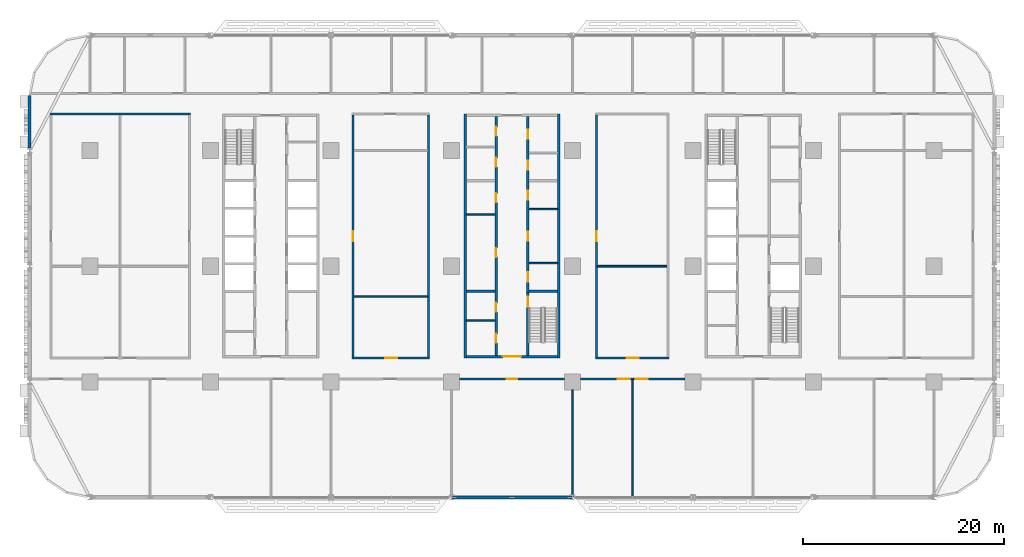
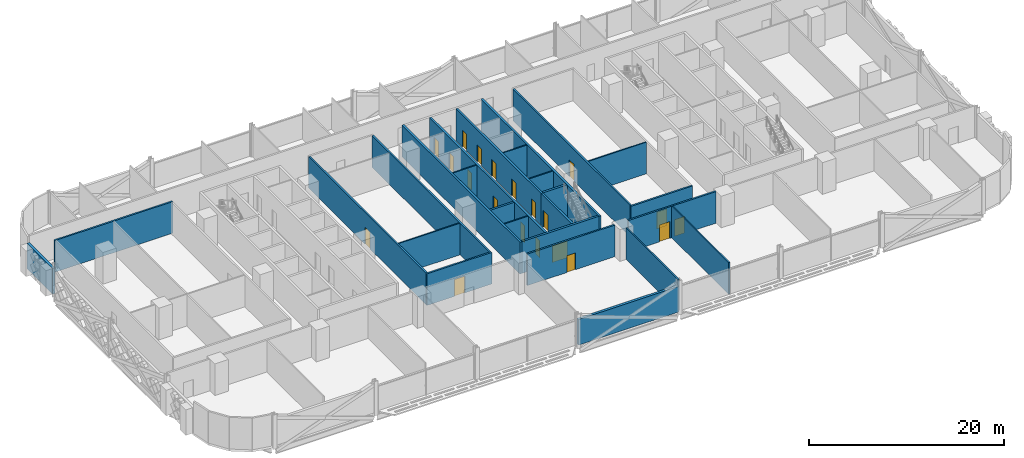
# One storey, part 11 of 28: 26 walls, 20 doors, 20 openings.
"""IFC4 building model written with IfcOpenShell, lengths in metres."""

import ifcopenshell
import ifcopenshell.guid

model = None  # the IFC model being written
_history = None  # IfcOwnerHistory: only IFC2X3 demands one
_inside = {}  # id of a spatial element -> (the spatial element, [elements in it])
_under = {}  # id of a project, library or spatial element -> (it, [spatial elements below it])
_declared = {}  # id of a project -> (the project, [libraries it declares])
_typed = {}  # id of a type object -> (the type object, [elements of that type])
_made_of = {}  # id of a material, layer set ... -> (it, [elements and type objects made of it])


def new_model(schema):
    """Start an empty IFC model of exactly this schema.

    Asked for "IFC4X3", IfcOpenShell would pick the latest addendum, in which some entities
    have other attributes; the version numbers below select the first issue.
    IFC2X3 requires an IfcOwnerHistory on every rooted entity: one is made here for all.
    """
    global model, _history
    if schema == "IFC4X3":
        model = ifcopenshell.file(schema_version=(4, 3, 0, 0))
    else:
        model = ifcopenshell.file(schema=schema)
    _inside.clear()
    _under.clear()
    _declared.clear()
    _typed.clear()
    _made_of.clear()
    _history = None
    if model.schema == "IFC2X3":
        org = make("IfcOrganization", Name="unknown")
        user = make(
            "IfcPersonAndOrganization",
            ThePerson=make("IfcPerson", FamilyName="unknown"),
            TheOrganization=org,
        )
        app = make(
            "IfcApplication",
            ApplicationDeveloper=org,
            Version="unknown",
            ApplicationFullName="unknown",
            ApplicationIdentifier="unknown",
        )
        _history = make(
            "IfcOwnerHistory",
            OwningUser=user,
            OwningApplication=app,
            ChangeAction="ADDED",
            CreationDate=0,
        )
    return model


def make(cls, **values):
    """One entity of the class cls with the attributes given. An attribute that is None is left unset."""
    return model.create_entity(
        cls, **{name: value for name, value in values.items() if value is not None}
    )


def rooted(cls, **values):
    """An entity with a GlobalId (a new one), such as an element, a storey or a relation."""
    return make(cls, GlobalId=ifcopenshell.guid.new(), OwnerHistory=_history, **values)


def si_unit(unit_type, name, prefix=None):
    """IfcSIUnit, for example si_unit("LENGTHUNIT", "METRE", prefix="MILLI")."""
    return make("IfcSIUnit", UnitType=unit_type, Prefix=prefix, Name=name)


def assignment(units):
    """IfcUnitAssignment: the units of a project."""
    return None if units is None else make("IfcUnitAssignment", Units=units)


def point(xyz):
    """IfcCartesianPoint."""
    return None if xyz is None else make("IfcCartesianPoint", Coordinates=xyz)


def direction(xyz):
    """IfcDirection."""
    return None if xyz is None else make("IfcDirection", DirectionRatios=xyz)


def frame(location, z_axis=None, x_axis=None):
    """IfcAxis2Placement3D, a coordinate frame: its origin and axes. An axis left out is left unset."""
    return make(
        "IfcAxis2Placement3D",
        Location=point(location),
        Axis=direction(z_axis),
        RefDirection=direction(x_axis),
    )


def frame_2d(location, x_axis=None):
    """IfcAxis2Placement2D, a coordinate frame in the plane: its origin and x axis."""
    return make(
        "IfcAxis2Placement2D", Location=point(location), RefDirection=direction(x_axis)
    )


def origin():
    """The frame at (0, 0, 0) with its axes left unset."""
    return frame((0.0, 0.0, 0.0))


def place(relative_to, where):
    """IfcLocalPlacement: puts the frame where relative to a parent placement (None: the world)."""
    return make(
        "IfcLocalPlacement", PlacementRelTo=relative_to, RelativePlacement=where
    )


def context(
    kind, dimensions, precision=None, world=None, true_north=None, identifier=None
):
    """IfcGeometricRepresentationContext, for example the 3D "Model" context."""
    return make(
        "IfcGeometricRepresentationContext",
        ContextIdentifier=identifier,
        ContextType=kind,
        CoordinateSpaceDimension=dimensions,
        Precision=precision,
        WorldCoordinateSystem=world,
        TrueNorth=true_north,
    )


def subcontext(parent, identifier, kind, view, scale=None):
    """IfcGeometricRepresentationSubContext, for example "Body" below "Model"."""
    return make(
        "IfcGeometricRepresentationSubContext",
        ContextIdentifier=identifier,
        ContextType=kind,
        ParentContext=parent,
        TargetScale=scale,
        TargetView=view,
    )


def project(units=None, contexts=None):
    """IfcProject with its units and contexts."""
    return rooted(
        "IfcProject",
        Name="project",
        RepresentationContexts=contexts,
        UnitsInContext=assignment(units),
    )


def spatial(cls, under=None, at=None, **own):
    """A site, building, storey or space (cls), placed at a placement, below another one or the project."""
    s = rooted(cls, ObjectPlacement=at, **own)
    if under is not None:
        _under.setdefault(under.id(), (under, []))[1].append(s)
    return s


def profile(cls, at=None, kind="AREA", **sizes):
    """A parametric profile (cls). Its sizes go by their IFC names, for example OverallWidth=200.0."""
    return make(cls, ProfileType=kind, Position=at, **sizes)


def rectangle(**sizes):
    """IfcRectangleProfileDef."""
    return profile("IfcRectangleProfileDef", **sizes)


def extrude(swept, where, along, depth):
    """IfcExtrudedAreaSolid: the profile swept, set in the frame where, extruded along a direction by depth."""
    return make(
        "IfcExtrudedAreaSolid",
        SweptArea=swept,
        Position=where,
        ExtrudedDirection=direction(along),
        Depth=depth,
    )


def shape(context_of_items, identifier, shape_type, items):
    """IfcShapeRepresentation: the items that make up one representation, for example the "Body"."""
    return make(
        "IfcShapeRepresentation",
        ContextOfItems=context_of_items,
        RepresentationIdentifier=identifier,
        RepresentationType=shape_type,
        Items=items,
    )


def material(Name=None, Category=None):
    """IfcMaterial."""
    return make("IfcMaterial", Name=Name, Category=Category)


def layer(
    of_material, thickness, ventilated=None, Name=None, Category=None, Priority=None
):
    """IfcMaterialLayer: one layer of a wall or slab, of a material (None: an air gap)."""
    return make(
        "IfcMaterialLayer",
        Material=of_material,
        LayerThickness=thickness,
        IsVentilated=ventilated,
        Name=Name,
        Category=Category,
        Priority=Priority,
    )


def layer_set(layers, Name=None):
    """IfcMaterialLayerSet."""
    return make("IfcMaterialLayerSet", MaterialLayers=layers, LayerSetName=Name)


def made_of(thing, what):
    """Note that an element or type object is made of a material, layer set ...; save() writes the relation."""
    if what is not None:
        _made_of.setdefault(what.id(), (what, []))[1].append(thing)
    return thing


def type_object(cls, material=None, **own):
    """A type object (cls), such as IfcWallType, which elements share."""
    return made_of(rooted(cls, **own), material)


def element(
    cls,
    number,
    at=None,
    inside=None,
    cuts=None,
    type_object=None,
    material=None,
    context=None,
    identifier="Body",
    shape_type=None,
    held_by="IfcProductDefinitionShape",
    body=None,
    shapes=None,
    **own,
):
    """One element of the class cls, such as IfcWall. Its Tag is "e" and its number.

    at: its placement. inside: the storey or other place that contains it. cuts: it is an
    opening in that element (IfcRelVoidsElement). A single representation is given by context,
    identifier, shape_type and body (its items); several are given by shapes. held_by: the class
    of the entity that holds the representations. save() writes the other relations.
    """
    e = rooted(cls, Tag="e%d" % number, ObjectPlacement=at, **own)
    if body is not None:
        shapes = [shape(context, identifier, shape_type, body)]
    if shapes is not None:
        e.Representation = make(held_by, Representations=shapes)
    if inside is not None:
        _inside.setdefault(inside.id(), (inside, []))[1].append(e)
    if cuts is not None:
        rooted(
            "IfcRelVoidsElement", RelatingBuildingElement=cuts, RelatedOpeningElement=e
        )
    if type_object is not None:
        _typed.setdefault(type_object.id(), (type_object, []))[1].append(e)
    return made_of(e, material)


def fill(opening, filler):
    """IfcRelFillsElement: the door or window that sits in an opening."""
    return rooted(
        "IfcRelFillsElement",
        RelatingOpeningElement=opening,
        RelatedBuildingElement=filler,
    )


def aggregate(whole, parts):
    """IfcRelAggregates: a whole, such as a stair, and the parts it consists of."""
    return rooted("IfcRelAggregates", RelatingObject=whole, RelatedObjects=parts)


def save(model, path):
    """Write the relations noted so far, then the file.

    IfcRelAggregates (storeys below a building ...), IfcRelContainedInSpatialStructure (elements
    in a storey), IfcRelDefinesByType, IfcRelAssociatesMaterial and IfcRelDeclares: one each for
    every whole, place, type object, material and project.
    """
    for whole, parts in _under.values():
        aggregate(whole, parts)
    for where, things in _inside.values():
        rooted(
            "IfcRelContainedInSpatialStructure",
            RelatedElements=things,
            RelatingStructure=where,
        )
    for kind, things in _typed.values():
        rooted("IfcRelDefinesByType", RelatedObjects=things, RelatingType=kind)
    for what, things in _made_of.values():
        rooted("IfcRelAssociatesMaterial", RelatedObjects=things, RelatingMaterial=what)
    for by, libraries in _declared.values():
        rooted("IfcRelDeclares", RelatingContext=by, RelatedDefinitions=libraries)
    model.write(path)


model = new_model("IFC4")

# Units and contexts
model_context = context("Model", 3, precision=1e-05, world=origin(), true_north=direction((0.0, 1.0)))
body_context = subcontext(model_context, "Body", "Model", "MODEL_VIEW")
ifc_project = project(units=[si_unit("LENGTHUNIT", "METRE"), si_unit("AREAUNIT", "SQUARE_METRE"), si_unit("VOLUMEUNIT", "CUBIC_METRE"), si_unit("PLANEANGLEUNIT", "RADIAN"), si_unit("MASSUNIT", "GRAM", prefix="KILO")], contexts=[model_context])

# Site, building, storey
site_placement = place(None, origin())
site = spatial("IfcSite", under=ifc_project, at=site_placement, CompositionType="ELEMENT")
building_placement = place(site_placement, origin())
building = spatial("IfcBuilding", under=site, at=building_placement, Name="Mahtab Terrace Research Tower", CompositionType="ELEMENT")
storey_placement = place(building_placement, frame((0.0, 0.0, 33.0)))
storey = spatial("IfcBuildingStorey", under=building, at=storey_placement, Name="L07", CompositionType="ELEMENT", Elevation=33.0)

# Walls
ifc_material_1 = material(Name="Gypsum board partition")
ifc_layer_1 = layer(ifc_material_1, 0.14990234375)
ifc_layer_set_1 = layer_set([ifc_layer_1], Name="Core partition 150")
wall_type_1 = type_object("IfcWallType", Name="Core partition 150", PredefinedType="PARTITIONING", material=ifc_layer_set_1)
for number, where, z_axis, x_axis, name in (
    (1, (-4.550048828125, 5.14990234375, 0.0), (0.0, 0.0, 1.0), (1.0, 0.0, 0.0), "Core wall B pWL215"),
    (2, (1.699951171875, 0.3125, 0.0), (0.0, 0.0, 1.0), (1.0, 0.0, 0.0), "Core wall B pEL-269"),
    (3, (1.699951171875, 5.6875, 0.0), (0.0, 0.0, 1.0), (1.0, 0.0, 0.0), "Core wall B pEL269"),
    (4, (-4.550048828125, -5.39501953125, 0.0), (0.0, 0.0, 1.0), (1.0, 0.0, 0.0), "Core wall B pWS-840"),
):
    element("IfcWall", number, at=place(storey_placement, frame(where, z_axis=z_axis, x_axis=x_axis)), inside=storey, type_object=wall_type_1, Name=name, PredefinedType="PARTITIONING", context=body_context, shape_type="SweptSolid", body=[
        extrude(rectangle(XDim=2.85009765625, YDim=0.14990234375, at=frame_2d((1.425048828125, 0.0))), origin(), (0.0, 0.0, 1.0), 3.9599609375),
    ])
ifc_material_2 = material(Name="Concrete C70/85", Category="concrete")
ifc_layer_2 = layer(ifc_material_2, 0.25)
ifc_layer_set_2 = layer_set([ifc_layer_2], Name="Core wall 250")
wall_type_2 = type_object("IfcWallType", Name="Core wall 250", PredefinedType="SOLIDWALL", material=ifc_layer_set_2)
for number, where, z_axis, x_axis, name in (
    (5, (-4.675048828125, 15.125, 0.0), (0.0, 0.0, 1.0), (0.0, -1.0, 0.0), "Core wall B outerW"),
    (6, (4.675048828125, -9.125, 0.0), (0.0, 0.0, 1.0), (0.0, 1.0, 0.0), "Core wall B outerE"),
):
    element("IfcWall", number, at=place(storey_placement, frame(where, z_axis=z_axis, x_axis=x_axis)), inside=storey, type_object=wall_type_2, Name=name, PredefinedType="SOLIDWALL", context=body_context, shape_type="SweptSolid", body=[
        extrude(rectangle(XDim=24.25, YDim=0.25, at=frame_2d((12.125, 0.0))), origin(), (0.0, 0.0, 1.0), 3.9599609375),
    ])

# Wall, opening, door
wall_1_placement = place(storey_placement, frame((4.550048828125, -9.0, 0.0), z_axis=(0.0, 0.0, 1.0), x_axis=(-1.0, 0.0, 0.0)))
wall_1 = element("IfcWall", 7, at=wall_1_placement, inside=storey, type_object=wall_type_2, Name="Core wall B endS", PredefinedType="SOLIDWALL", context=body_context, shape_type="SweptSolid", body=[
    extrude(rectangle(XDim=9.10009765625, YDim=0.25, at=frame_2d((4.550048828125, 0.0))), origin(), (0.0, 0.0, 1.0), 3.9599609375),
])
opening_1_placement = place(wall_1_placement, frame((3.64990234375, 0.0, 0.0)))
opening_1 = element("IfcOpeningElement", 8, at=opening_1_placement, cuts=wall_1, Name="Opening B-S1", PredefinedType="OPENING", context=body_context, shape_type="SweptSolid", body=[
    extrude(rectangle(XDim=1.800048828125, YDim=2.10009765625, at=frame_2d((0.89990234375, 1.050048828125))), frame((0.0, 0.135009765625, 0.0), z_axis=(0.0, -1.0, 0.0), x_axis=(1.0, 0.0, 0.0)), (0.0, 0.0, 1.0), 0.27001953125),
])
ifc_material_3 = material(Name="Steel fire door", Category="steel")
door_type_1 = type_object("IfcDoorType", Name="Lobby double door 1800x2100 1 HR", OperationType="DOUBLE_DOOR_SINGLE_SWING", PredefinedType="DOOR", material=ifc_material_3)
door_1_placement = place(opening_1_placement, origin())
door_1 = element("IfcDoor", 9, at=door_1_placement, inside=storey, type_object=door_type_1, Name="Core entrance door B S", OperationType="DOUBLE_DOOR_SINGLE_SWING", OverallHeight=2.10009765625, OverallWidth=1.800048828125, PredefinedType="DOOR", context=body_context, shape_type="SweptSolid", body=[
    extrude(rectangle(XDim=1.800048828125, YDim=2.10009765625, at=frame_2d((0.89990234375, 1.050048828125))), frame((0.0, 0.02490234375, 0.0), z_axis=(0.0, -1.0, 0.0), x_axis=(1.0, 0.0, 0.0)), (0.0, 0.0, 1.0), 0.050048828125),
])
fill(opening_1, door_1)

# Wall, openings, doors
wall_2_placement = place(storey_placement, frame((-1.574951171875, -8.875, 0.0), z_axis=(0.0, 0.0, 1.0), x_axis=(0.0, 1.0, 0.0)))
wall_2 = element("IfcWall", 10, at=wall_2_placement, inside=storey, type_object=wall_type_2, Name="Core wall B innerWSLN", PredefinedType="SOLIDWALL", context=body_context, shape_type="SweptSolid", body=[
    extrude(rectangle(XDim=23.75, YDim=0.25, at=frame_2d((11.875, 0.0))), origin(), (0.0, 0.0, 1.0), 3.9599609375),
])
opening_2_placement = place(wall_2_placement, frame((9.77490234375, 0.0, 0.0)))
opening_2 = element("IfcOpeningElement", 11, at=opening_2_placement, cuts=wall_2, Name="Opening B-R1", PredefinedType="OPENING", context=body_context, shape_type="SweptSolid", body=[
    extrude(rectangle(XDim=0.89990234375, YDim=2.10009765625, at=frame_2d((0.449951171875, 1.050048828125))), frame((0.0, 0.135009765625, 0.0), z_axis=(0.0, -1.0, 0.0), x_axis=(1.0, 0.0, 0.0)), (0.0, 0.0, 1.0), 0.27001953125),
])
opening_3_placement = place(wall_2_placement, frame((15.22509765625, 0.0, 0.0)))
opening_3 = element("IfcOpeningElement", 12, at=opening_3_placement, cuts=wall_2, Name="Opening B-R2", PredefinedType="OPENING", context=body_context, shape_type="SweptSolid", body=[
    extrude(rectangle(XDim=0.89990234375, YDim=2.10009765625, at=frame_2d((0.449951171875, 1.050048828125))), frame((0.0, 0.135009765625, 0.0), z_axis=(0.0, -1.0, 0.0), x_axis=(1.0, 0.0, 0.0)), (0.0, 0.0, 1.0), 0.27001953125),
])
opening_4_placement = place(wall_2_placement, frame((1.25244140625, 0.0, 0.0)))
opening_4 = element("IfcOpeningElement", 13, at=opening_4_placement, cuts=wall_2, Name="Opening B-R6", PredefinedType="OPENING", context=body_context, shape_type="SweptSolid", body=[
    extrude(rectangle(XDim=0.89990234375, YDim=2.10009765625, at=frame_2d((0.449951171875, 1.050048828125))), frame((0.0, 0.135009765625, 0.0), z_axis=(0.0, -1.0, 0.0), x_axis=(1.0, 0.0, 0.0)), (0.0, 0.0, 1.0), 0.27001953125),
])
opening_5_placement = place(wall_2_placement, frame((4.327392578125, 0.0, 0.0)))
opening_5 = element("IfcOpeningElement", 14, at=opening_5_placement, cuts=wall_2, Name="Opening B-R7", PredefinedType="OPENING", context=body_context, shape_type="SweptSolid", body=[
    extrude(rectangle(XDim=0.89990234375, YDim=2.10009765625, at=frame_2d((0.449951171875, 1.050048828125))), frame((0.0, 0.135009765625, 0.0), z_axis=(0.0, -1.0, 0.0), x_axis=(1.0, 0.0, 0.0)), (0.0, 0.0, 1.0), 0.27001953125),
])
opening_6_placement = place(wall_2_placement, frame((18.762451171875, 0.0, 0.0)))
opening_6 = element("IfcOpeningElement", 15, at=opening_6_placement, cuts=wall_2, Name="Opening B-R8", PredefinedType="OPENING", context=body_context, shape_type="SweptSolid", body=[
    extrude(rectangle(XDim=0.89990234375, YDim=2.10009765625, at=frame_2d((0.449951171875, 1.050048828125))), frame((0.0, 0.135009765625, 0.0), z_axis=(0.0, -1.0, 0.0), x_axis=(1.0, 0.0, 0.0)), (0.0, 0.0, 1.0), 0.27001953125),
])
opening_7_placement = place(wall_2_placement, frame((21.83740234375, 0.0, 0.0)))
opening_7 = element("IfcOpeningElement", 16, at=opening_7_placement, cuts=wall_2, Name="Opening B-R9", PredefinedType="OPENING", context=body_context, shape_type="SweptSolid", body=[
    extrude(rectangle(XDim=0.89990234375, YDim=2.10009765625, at=frame_2d((0.449951171875, 1.050048828125))), frame((0.0, 0.135009765625, 0.0), z_axis=(0.0, -1.0, 0.0), x_axis=(1.0, 0.0, 0.0)), (0.0, 0.0, 1.0), 0.27001953125),
])
door_type_2 = type_object("IfcDoorType", Name="Room door 900x2100 1 HR", OperationType="NOTDEFINED", PredefinedType="DOOR", material=ifc_material_3)
door_2_placement = place(opening_2_placement, origin())
door_2 = element("IfcDoor", 17, at=door_2_placement, inside=storey, type_object=door_type_2, Name="Chemical store door", OperationType="SINGLE_SWING_LEFT", OverallHeight=2.10009765625, OverallWidth=0.89990234375, PredefinedType="DOOR", context=body_context, shape_type="SweptSolid", body=[
    extrude(rectangle(XDim=0.89990234375, YDim=2.10009765625, at=frame_2d((0.449951171875, 1.050048828125))), frame((0.0, 0.02490234375, 0.0), z_axis=(0.0, -1.0, 0.0), x_axis=(1.0, 0.0, 0.0)), (0.0, 0.0, 1.0), 0.050048828125),
])
fill(opening_2, door_2)
door_3_placement = place(opening_3_placement, origin())
door_3 = element("IfcDoor", 18, at=door_3_placement, inside=storey, type_object=door_type_2, Name="Waste room door", OperationType="SINGLE_SWING_RIGHT", OverallHeight=2.10009765625, OverallWidth=0.89990234375, PredefinedType="DOOR", context=body_context, shape_type="SweptSolid", body=[
    extrude(rectangle(XDim=0.89990234375, YDim=2.10009765625, at=frame_2d((0.449951171875, 1.050048828125))), frame((0.0, 0.02490234375, 0.0), z_axis=(0.0, -1.0, 0.0), x_axis=(1.0, 0.0, 0.0)), (0.0, 0.0, 1.0), 0.050048828125),
])
fill(opening_3, door_3)
door_4_placement = place(opening_4_placement, origin())
door_4 = element("IfcDoor", 19, at=door_4_placement, inside=storey, type_object=door_type_2, Name="Pantry door", OperationType="SINGLE_SWING_RIGHT", OverallHeight=2.10009765625, OverallWidth=0.89990234375, PredefinedType="DOOR", context=body_context, shape_type="SweptSolid", body=[
    extrude(rectangle(XDim=0.89990234375, YDim=2.10009765625, at=frame_2d((0.449951171875, 1.050048828125))), frame((0.0, 0.02490234375, 0.0), z_axis=(0.0, -1.0, 0.0), x_axis=(1.0, 0.0, 0.0)), (0.0, 0.0, 1.0), 0.050048828125),
])
fill(opening_4, door_4)
door_5_placement = place(opening_5_placement, origin())
door_5 = element("IfcDoor", 20, at=door_5_placement, inside=storey, type_object=door_type_2, Name="Linen store door", OperationType="SINGLE_SWING_LEFT", OverallHeight=2.10009765625, OverallWidth=0.89990234375, PredefinedType="DOOR", context=body_context, shape_type="SweptSolid", body=[
    extrude(rectangle(XDim=0.89990234375, YDim=2.10009765625, at=frame_2d((0.449951171875, 1.050048828125))), frame((0.0, 0.02490234375, 0.0), z_axis=(0.0, -1.0, 0.0), x_axis=(1.0, 0.0, 0.0)), (0.0, 0.0, 1.0), 0.050048828125),
])
fill(opening_5, door_5)
door_6_placement = place(opening_6_placement, origin())
door_6 = element("IfcDoor", 21, at=door_6_placement, inside=storey, type_object=door_type_2, Name="Housekeeping store door", OperationType="SINGLE_SWING_RIGHT", OverallHeight=2.10009765625, OverallWidth=0.89990234375, PredefinedType="DOOR", context=body_context, shape_type="SweptSolid", body=[
    extrude(rectangle(XDim=0.89990234375, YDim=2.10009765625, at=frame_2d((0.449951171875, 1.050048828125))), frame((0.0, 0.02490234375, 0.0), z_axis=(0.0, -1.0, 0.0), x_axis=(1.0, 0.0, 0.0)), (0.0, 0.0, 1.0), 0.050048828125),
])
fill(opening_6, door_6)
door_7_placement = place(opening_7_placement, origin())
door_7 = element("IfcDoor", 22, at=door_7_placement, inside=storey, type_object=door_type_2, Name="Electrical riser room door", OperationType="SINGLE_SWING_LEFT", OverallHeight=2.10009765625, OverallWidth=0.89990234375, PredefinedType="DOOR", context=body_context, shape_type="SweptSolid", body=[
    extrude(rectangle(XDim=0.89990234375, YDim=2.10009765625, at=frame_2d((0.449951171875, 1.050048828125))), frame((0.0, 0.02490234375, 0.0), z_axis=(0.0, -1.0, 0.0), x_axis=(1.0, 0.0, 0.0)), (0.0, 0.0, 1.0), 0.050048828125),
])
fill(opening_7, door_7)

# Wall, opening, door
wall_3_placement = place(storey_placement, frame((1.574951171875, -8.875, 0.0), z_axis=(0.0, 0.0, 1.0), x_axis=(0.0, 1.0, 0.0)))
wall_3 = element("IfcWall", 23, at=wall_3_placement, inside=storey, type_object=wall_type_2, Name="Core wall B innerES", PredefinedType="SOLIDWALL", context=body_context, shape_type="SweptSolid", body=[
    extrude(rectangle(XDim=6.25, YDim=0.25, at=frame_2d((3.125, 0.0))), origin(), (0.0, 0.0, 1.0), 3.9599609375),
])
opening_8_placement = place(wall_3_placement, frame((4.85009765625, 0.0, 0.0)))
opening_8 = element("IfcOpeningElement", 24, at=opening_8_placement, cuts=wall_3, Name="Opening B-ST2", PredefinedType="OPENING", context=body_context, shape_type="SweptSolid", body=[
    extrude(rectangle(XDim=1.0, YDim=2.10009765625, at=frame_2d((0.5, 1.050048828125))), frame((0.0, 0.135009765625, 0.0), z_axis=(0.0, -1.0, 0.0), x_axis=(1.0, 0.0, 0.0)), (0.0, 0.0, 1.0), 0.27001953125),
])
door_type_3 = type_object("IfcDoorType", Name="Stair door 1000x2100 1.5 HR", OperationType="NOTDEFINED", PredefinedType="DOOR", material=ifc_material_3)
door_8_placement = place(opening_8_placement, origin())
door_8 = element("IfcDoor", 25, at=door_8_placement, inside=storey, type_object=door_type_3, Name="Stair door ST2 L07", OperationType="SINGLE_SWING_RIGHT", OverallHeight=2.10009765625, OverallWidth=1.0, PredefinedType="DOOR", context=body_context, shape_type="SweptSolid", body=[
    extrude(rectangle(XDim=1.0, YDim=2.10009765625, at=frame_2d((0.5, 1.050048828125))), frame((0.0, 0.02490234375, 0.0), z_axis=(0.0, -1.0, 0.0), x_axis=(1.0, 0.0, 0.0)), (0.0, 0.0, 1.0), 0.050048828125),
])
fill(opening_8, door_8)

# Wall, openings, doors
wall_4_placement = place(storey_placement, frame((1.574951171875, 14.875, 0.0), z_axis=(0.0, 0.0, 1.0), x_axis=(0.0, -1.0, 0.0)))
wall_4 = element("IfcWall", 26, at=wall_4_placement, inside=storey, type_object=wall_type_2, Name="Core wall B innerELN", PredefinedType="SOLIDWALL", context=body_context, shape_type="SweptSolid", body=[
    extrude(rectangle(XDim=17.5, YDim=0.25, at=frame_2d((8.75, 0.0))), origin(), (0.0, 0.0, 1.0), 3.9599609375),
])
opening_9_placement = place(wall_4_placement, frame((15.493896484375, 0.0, 0.0)))
opening_9 = element("IfcOpeningElement", 27, at=opening_9_placement, cuts=wall_4, Name="Opening B-R3", PredefinedType="OPENING", context=body_context, shape_type="SweptSolid", body=[
    extrude(rectangle(XDim=0.89990234375, YDim=2.10009765625, at=frame_2d((0.449951171875, 1.050048828125))), frame((0.0, 0.135009765625, 0.0), z_axis=(0.0, -1.0, 0.0), x_axis=(1.0, 0.0, 0.0)), (0.0, 0.0, 1.0), 0.27001953125),
])
opening_10_placement = place(wall_4_placement, frame((11.425048828125, 0.0, 0.0)))
opening_10 = element("IfcOpeningElement", 28, at=opening_10_placement, cuts=wall_4, Name="Opening B-R4", PredefinedType="OPENING", context=body_context, shape_type="SweptSolid", body=[
    extrude(rectangle(XDim=0.89990234375, YDim=2.10009765625, at=frame_2d((0.449951171875, 1.050048828125))), frame((0.0, 0.135009765625, 0.0), z_axis=(0.0, -1.0, 0.0), x_axis=(1.0, 0.0, 0.0)), (0.0, 0.0, 1.0), 0.27001953125),
])
opening_11_placement = place(wall_4_placement, frame((7.356201171875, 0.0, 0.0)))
opening_11 = element("IfcOpeningElement", 29, at=opening_11_placement, cuts=wall_4, Name="Opening B-R5", PredefinedType="OPENING", context=body_context, shape_type="SweptSolid", body=[
    extrude(rectangle(XDim=0.89990234375, YDim=2.10009765625, at=frame_2d((0.449951171875, 1.050048828125))), frame((0.0, 0.135009765625, 0.0), z_axis=(0.0, -1.0, 0.0), x_axis=(1.0, 0.0, 0.0)), (0.0, 0.0, 1.0), 0.27001953125),
])
opening_12_placement = place(wall_4_placement, frame((4.387451171875, 0.0, 0.0)))
opening_12 = element("IfcOpeningElement", 30, at=opening_12_placement, cuts=wall_4, Name="Opening B-R10", PredefinedType="OPENING", context=body_context, shape_type="SweptSolid", body=[
    extrude(rectangle(XDim=0.89990234375, YDim=2.10009765625, at=frame_2d((0.449951171875, 1.050048828125))), frame((0.0, 0.135009765625, 0.0), z_axis=(0.0, -1.0, 0.0), x_axis=(1.0, 0.0, 0.0)), (0.0, 0.0, 1.0), 0.27001953125),
])
opening_13_placement = place(wall_4_placement, frame((1.3125, 0.0, 0.0)))
opening_13 = element("IfcOpeningElement", 31, at=opening_13_placement, cuts=wall_4, Name="Opening B-R11", PredefinedType="OPENING", context=body_context, shape_type="SweptSolid", body=[
    extrude(rectangle(XDim=0.89990234375, YDim=2.10009765625, at=frame_2d((0.449951171875, 1.050048828125))), frame((0.0, 0.135009765625, 0.0), z_axis=(0.0, -1.0, 0.0), x_axis=(1.0, 0.0, 0.0)), (0.0, 0.0, 1.0), 0.27001953125),
])
door_9_placement = place(opening_9_placement, origin())
door_9 = element("IfcDoor", 32, at=door_9_placement, inside=storey, type_object=door_type_2, Name="Comms room door", OperationType="SINGLE_SWING_LEFT", OverallHeight=2.10009765625, OverallWidth=0.89990234375, PredefinedType="DOOR", context=body_context, shape_type="SweptSolid", body=[
    extrude(rectangle(XDim=0.89990234375, YDim=2.10009765625, at=frame_2d((0.449951171875, 1.050048828125))), frame((0.0, 0.02490234375, 0.0), z_axis=(0.0, -1.0, 0.0), x_axis=(1.0, 0.0, 0.0)), (0.0, 0.0, 1.0), 0.050048828125),
])
fill(opening_9, door_9)
door_10_placement = place(opening_10_placement, origin())
door_10 = element("IfcDoor", 33, at=door_10_placement, inside=storey, type_object=door_type_2, Name="Meeting alcove door", OperationType="SINGLE_SWING_RIGHT", OverallHeight=2.10009765625, OverallWidth=0.89990234375, PredefinedType="DOOR", context=body_context, shape_type="SweptSolid", body=[
    extrude(rectangle(XDim=0.89990234375, YDim=2.10009765625, at=frame_2d((0.449951171875, 1.050048828125))), frame((0.0, 0.02490234375, 0.0), z_axis=(0.0, -1.0, 0.0), x_axis=(1.0, 0.0, 0.0)), (0.0, 0.0, 1.0), 0.050048828125),
])
fill(opening_10, door_10)
door_11_placement = place(opening_11_placement, origin())
door_11 = element("IfcDoor", 34, at=door_11_placement, inside=storey, type_object=door_type_2, Name="Linen store door", OperationType="SINGLE_SWING_LEFT", OverallHeight=2.10009765625, OverallWidth=0.89990234375, PredefinedType="DOOR", context=body_context, shape_type="SweptSolid", body=[
    extrude(rectangle(XDim=0.89990234375, YDim=2.10009765625, at=frame_2d((0.449951171875, 1.050048828125))), frame((0.0, 0.02490234375, 0.0), z_axis=(0.0, -1.0, 0.0), x_axis=(1.0, 0.0, 0.0)), (0.0, 0.0, 1.0), 0.050048828125),
])
fill(opening_11, door_11)
door_12_placement = place(opening_12_placement, origin())
door_12 = element("IfcDoor", 35, at=door_12_placement, inside=storey, type_object=door_type_2, Name="Accessible WC door", OperationType="SINGLE_SWING_RIGHT", OverallHeight=2.10009765625, OverallWidth=0.89990234375, PredefinedType="DOOR", context=body_context, shape_type="SweptSolid", body=[
    extrude(rectangle(XDim=0.89990234375, YDim=2.10009765625, at=frame_2d((0.449951171875, 1.050048828125))), frame((0.0, 0.02490234375, 0.0), z_axis=(0.0, -1.0, 0.0), x_axis=(1.0, 0.0, 0.0)), (0.0, 0.0, 1.0), 0.050048828125),
])
fill(opening_12, door_12)
door_13_placement = place(opening_13_placement, origin())
door_13 = element("IfcDoor", 36, at=door_13_placement, inside=storey, type_object=door_type_2, Name="WC block door", OperationType="SINGLE_SWING_LEFT", OverallHeight=2.10009765625, OverallWidth=0.89990234375, PredefinedType="DOOR", context=body_context, shape_type="SweptSolid", body=[
    extrude(rectangle(XDim=0.89990234375, YDim=2.10009765625, at=frame_2d((0.449951171875, 1.050048828125))), frame((0.0, 0.02490234375, 0.0), z_axis=(0.0, -1.0, 0.0), x_axis=(1.0, 0.0, 0.0)), (0.0, 0.0, 1.0), 0.050048828125),
])
fill(opening_13, door_13)

# Walls
for number, where, z_axis, x_axis, name in (
    (37, (-4.550048828125, -2.5, 0.0), (0.0, 0.0, 1.0), (1.0, 0.0, 0.0), "Core wall B divW0"),
    (38, (1.699951171875, -2.5, 0.0), (0.0, 0.0, 1.0), (1.0, 0.0, 0.0), "Core wall B divE0"),
):
    element("IfcWall", number, at=place(storey_placement, frame(where, z_axis=z_axis, x_axis=x_axis)), inside=storey, type_object=wall_type_2, Name=name, PredefinedType="SOLIDWALL", context=body_context, shape_type="SweptSolid", body=[
        extrude(rectangle(XDim=2.85009765625, YDim=0.25, at=frame_2d((1.425048828125, 0.0))), origin(), (0.0, 0.0, 1.0), 3.9599609375),
    ])
ifc_material_4 = material(Name="Black aluminium cladding panel", Category="aluminium")
ifc_layer_3 = layer(ifc_material_4, 0.300048828125)
ifc_layer_set_3 = layer_set([ifc_layer_3], Name="Opaque facade wall 300")
wall_type_3 = type_object("IfcWallType", Name="Opaque facade wall 300", PredefinedType="NOTDEFINED", material=ifc_layer_set_3)
wall_5_placement = place(storey_placement, frame((-48.0, 17.0, 0.0), z_axis=(0.0, 0.0, 1.0), x_axis=(0.0, -1.0, 0.0)))
element("IfcWall", 39, at=wall_5_placement, inside=storey, type_object=wall_type_3, Name="Opaque facade wall L07 W14", PredefinedType="NOTDEFINED", context=body_context, shape_type="SweptSolid", body=[
    extrude(rectangle(XDim=5.2509765625, YDim=0.300048828125, at=frame_2d((2.62548828125, 0.0))), origin(), (0.0, 0.0, 1.0), 3.203125),
])
wall_6_placement = place(storey_placement, frame((-5.97216796875, -23.0, 0.0), z_axis=(0.0, 0.0, 1.0), x_axis=(1.0, 0.0, 0.0)))
element("IfcWall", 40, at=wall_6_placement, inside=storey, type_object=wall_type_3, Name="Opaque facade wall L07 S25", PredefinedType="NOTDEFINED", context=body_context, shape_type="SweptSolid", body=[
    extrude(rectangle(XDim=11.9443359375, YDim=0.300048828125, at=frame_2d((5.97216796875, 0.0))), origin(), (0.0, 0.0, 1.0), 3.203125),
])

# Wall, opening, door
ifc_material_5 = material(Name="Gypsum board corridor wall on steel studs", Category="steel")
ifc_layer_4 = layer(ifc_material_5, 0.199951171875)
ifc_layer_set_4 = layer_set([ifc_layer_4], Name="WALL CORRIDOR 200")
wall_type_4 = type_object("IfcWallType", Name="WALL CORRIDOR 200", PredefinedType="PARTITIONING", material=ifc_layer_set_4)
wall_7_placement = place(storey_placement, frame((-5.199951171875, -11.199951171875, 0.0), z_axis=(0.0, 0.0, 1.0), x_axis=(1.0, 0.0, 0.0)))
wall_7 = element("IfcWall", 41, at=wall_7_placement, inside=storey, type_object=wall_type_4, Name="L07-W005", PredefinedType="PARTITIONING", context=body_context, shape_type="SweptSolid", body=[
    extrude(rectangle(XDim=10.39990234375, YDim=0.199951171875, at=frame_2d((5.199951171875, 0.0))), origin(), (0.0, 0.0, 1.0), 3.9599609375),
])
opening_14_placement = place(wall_7_placement, frame((4.699951171875, 0.0, 0.0)))
opening_14 = element("IfcOpeningElement", 42, at=opening_14_placement, cuts=wall_7, Name="Opening L07-105", PredefinedType="OPENING", context=body_context, shape_type="SweptSolid", body=[
    extrude(rectangle(XDim=1.0, YDim=2.10009765625, at=frame_2d((0.5, 1.050048828125))), frame((0.0, 0.10986328125, 0.0), z_axis=(0.0, -1.0, 0.0), x_axis=(1.0, 0.0, 0.0)), (0.0, 0.0, 1.0), 0.219970703125),
])
ifc_material_6 = material(Name="Timber door leaf in steel frame", Category="steel")
door_type_4 = type_object("IfcDoorType", Name="DOOR 1000X2100 FD30S", OperationType="SINGLE_SWING_LEFT", PredefinedType="DOOR", material=ifc_material_6)
door_14_placement = place(opening_14_placement, origin())
door_14 = element("IfcDoor", 43, at=door_14_placement, inside=storey, type_object=door_type_4, Name="Door L07-105", OperationType="SINGLE_SWING_RIGHT", OverallHeight=2.10009765625, OverallWidth=1.0, PredefinedType="DOOR", context=body_context, shape_type="SweptSolid", body=[
    extrude(rectangle(XDim=1.0, YDim=2.10009765625, at=frame_2d((0.5, 1.050048828125))), frame((0.0, 0.02490234375, 0.0), z_axis=(0.0, -1.0, 0.0), x_axis=(1.0, 0.0, 0.0)), (0.0, 0.0, 1.0), 0.050048828125),
])
fill(opening_14, door_14)

# Wall, openings, doors
wall_8_placement = place(storey_placement, frame((6.800048828125, -11.199951171875, 0.0), z_axis=(0.0, 0.0, 1.0), x_axis=(1.0, 0.0, 0.0)))
wall_8 = element("IfcWall", 44, at=wall_8_placement, inside=storey, type_object=wall_type_4, Name="L07-W006", PredefinedType="PARTITIONING", context=body_context, shape_type="SweptSolid", body=[
    extrude(rectangle(XDim=10.39990234375, YDim=0.199951171875, at=frame_2d((5.199951171875, 0.0))), origin(), (0.0, 0.0, 1.0), 3.9599609375),
])
opening_15_placement = place(wall_8_placement, frame((3.699951171875, 0.0, 0.0)))
opening_15 = element("IfcOpeningElement", 45, at=opening_15_placement, cuts=wall_8, Name="Opening L07-106", PredefinedType="OPENING", context=body_context, shape_type="SweptSolid", body=[
    extrude(rectangle(XDim=1.199951171875, YDim=2.10009765625, at=frame_2d((0.60009765625, 1.050048828125))), frame((0.0, 0.10986328125, 0.0), z_axis=(0.0, -1.0, 0.0), x_axis=(1.0, 0.0, 0.0)), (0.0, 0.0, 1.0), 0.219970703125),
])
opening_16_placement = place(wall_8_placement, frame((5.5, 0.0, 0.0)))
opening_16 = element("IfcOpeningElement", 46, at=opening_16_placement, cuts=wall_8, Name="Opening L07-107", PredefinedType="OPENING", context=body_context, shape_type="SweptSolid", body=[
    extrude(rectangle(XDim=1.199951171875, YDim=2.10009765625, at=frame_2d((0.60009765625, 1.050048828125))), frame((0.0, 0.10986328125, 0.0), z_axis=(0.0, -1.0, 0.0), x_axis=(1.0, 0.0, 0.0)), (0.0, 0.0, 1.0), 0.219970703125),
])
door_type_5 = type_object("IfcDoorType", Name="DOOR 1200X2100 FD30S", OperationType="SINGLE_SWING_LEFT", PredefinedType="DOOR", material=ifc_material_6)
door_15_placement = place(opening_15_placement, origin())
door_15 = element("IfcDoor", 47, at=door_15_placement, inside=storey, type_object=door_type_5, Name="Door L07-106", OperationType="SINGLE_SWING_RIGHT", OverallHeight=2.10009765625, OverallWidth=1.199951171875, PredefinedType="DOOR", context=body_context, shape_type="SweptSolid", body=[
    extrude(rectangle(XDim=1.199951171875, YDim=2.10009765625, at=frame_2d((0.60009765625, 1.050048828125))), frame((0.0, 0.02490234375, 0.0), z_axis=(0.0, -1.0, 0.0), x_axis=(1.0, 0.0, 0.0)), (0.0, 0.0, 1.0), 0.050048828125),
])
fill(opening_15, door_15)
door_16_placement = place(opening_16_placement, origin())
door_16 = element("IfcDoor", 48, at=door_16_placement, inside=storey, type_object=door_type_5, Name="Door L07-107", OperationType="SINGLE_SWING_LEFT", OverallHeight=2.10009765625, OverallWidth=1.199951171875, PredefinedType="DOOR", context=body_context, shape_type="SweptSolid", body=[
    extrude(rectangle(XDim=1.199951171875, YDim=2.10009765625, at=frame_2d((0.60009765625, 1.050048828125))), frame((0.0, 0.02490234375, 0.0), z_axis=(0.0, -1.0, 0.0), x_axis=(1.0, 0.0, 0.0)), (0.0, 0.0, 1.0), 0.050048828125),
])
fill(opening_16, door_16)

# Wall, opening, door
wall_9_placement = place(storey_placement, frame((-15.89990234375, -9.125, 0.0), z_axis=(0.0, 0.0, 1.0), x_axis=(1.0, 0.0, 0.0)))
wall_9 = element("IfcWall", 49, at=wall_9_placement, inside=storey, type_object=wall_type_4, Name="L07-W011", PredefinedType="PARTITIONING", context=body_context, shape_type="SweptSolid", body=[
    extrude(rectangle(XDim=7.699951171875, YDim=0.199951171875, at=frame_2d((3.85009765625, 0.0))), origin(), (0.0, 0.0, 1.0), 3.9599609375),
])
opening_17_placement = place(wall_9_placement, frame((3.300048828125, 0.0, 0.0)))
opening_17 = element("IfcOpeningElement", 50, at=opening_17_placement, cuts=wall_9, Name="Opening L07-111", PredefinedType="OPENING", context=body_context, shape_type="SweptSolid", body=[
    extrude(rectangle(XDim=1.199951171875, YDim=2.10009765625, at=frame_2d((0.60009765625, 1.050048828125))), frame((0.0, 0.10986328125, 0.0), z_axis=(0.0, -1.0, 0.0), x_axis=(1.0, 0.0, 0.0)), (0.0, 0.0, 1.0), 0.219970703125),
])
door_17_placement = place(opening_17_placement, origin())
door_17 = element("IfcDoor", 51, at=door_17_placement, inside=storey, type_object=door_type_5, Name="Door L07-111", OperationType="SINGLE_SWING_RIGHT", OverallHeight=2.10009765625, OverallWidth=1.199951171875, PredefinedType="DOOR", context=body_context, shape_type="SweptSolid", body=[
    extrude(rectangle(XDim=1.199951171875, YDim=2.10009765625, at=frame_2d((0.60009765625, 1.050048828125))), frame((0.0, 0.02490234375, 0.0), z_axis=(0.0, -1.0, 0.0), x_axis=(1.0, 0.0, 0.0)), (0.0, 0.0, 1.0), 0.050048828125),
])
fill(opening_17, door_17)

wall_10_placement = place(storey_placement, frame((8.300048828125, -9.125, 0.0), z_axis=(0.0, 0.0, 1.0), x_axis=(1.0, 0.0, 0.0)))
wall_10 = element("IfcWall", 52, at=wall_10_placement, inside=storey, type_object=wall_type_4, Name="L07-W012", PredefinedType="PARTITIONING", context=body_context, shape_type="SweptSolid", body=[
    extrude(rectangle(XDim=7.300048828125, YDim=0.199951171875, at=frame_2d((3.64990234375, 0.0))), origin(), (0.0, 0.0, 1.0), 3.9599609375),
])
opening_18_placement = place(wall_10_placement, frame((3.10009765625, 0.0, 0.0)))
opening_18 = element("IfcOpeningElement", 53, at=opening_18_placement, cuts=wall_10, Name="Opening L07-116", PredefinedType="OPENING", context=body_context, shape_type="SweptSolid", body=[
    extrude(rectangle(XDim=1.199951171875, YDim=2.10009765625, at=frame_2d((0.60009765625, 1.050048828125))), frame((0.0, 0.10986328125, 0.0), z_axis=(0.0, -1.0, 0.0), x_axis=(1.0, 0.0, 0.0)), (0.0, 0.0, 1.0), 0.219970703125),
])
door_18_placement = place(opening_18_placement, origin())
door_18 = element("IfcDoor", 54, at=door_18_placement, inside=storey, type_object=door_type_5, Name="Door L07-116", OperationType="SINGLE_SWING_RIGHT", OverallHeight=2.10009765625, OverallWidth=1.199951171875, PredefinedType="DOOR", context=body_context, shape_type="SweptSolid", body=[
    extrude(rectangle(XDim=1.199951171875, YDim=2.10009765625, at=frame_2d((0.60009765625, 1.050048828125))), frame((0.0, 0.02490234375, 0.0), z_axis=(0.0, -1.0, 0.0), x_axis=(1.0, 0.0, 0.0)), (0.0, 0.0, 1.0), 0.050048828125),
])
fill(opening_18, door_18)

# Wall
wall_11_placement = place(storey_placement, frame((-45.949951171875, 15.125, 0.0), z_axis=(0.0, 0.0, 1.0), x_axis=(1.0, 0.0, 0.0)))
element("IfcWall", 55, at=wall_11_placement, inside=storey, type_object=wall_type_4, Name="L07-W022", PredefinedType="PARTITIONING", context=body_context, shape_type="SweptSolid", body=[
    extrude(rectangle(XDim=13.949951171875, YDim=0.199951171875, at=frame_2d((6.97509765625, 0.0))), origin(), (0.0, 0.0, 1.0), 3.9599609375),
])

# Wall, opening, door
wall_12_placement = place(storey_placement, frame((-15.800048828125, -9.02490234375, 0.0), z_axis=(0.0, 0.0, 1.0), x_axis=(0.0, 1.0, 0.0)))
wall_12 = element("IfcWall", 56, at=wall_12_placement, inside=storey, type_object=wall_type_4, Name="L07-W038", PredefinedType="PARTITIONING", context=body_context, shape_type="SweptSolid", body=[
    extrude(rectangle(XDim=24.0498046875, YDim=0.199951171875, at=frame_2d((12.02490234375, 0.0))), origin(), (0.0, 0.0, 1.0), 3.9599609375),
])
opening_19_placement = place(wall_12_placement, frame((11.5, 0.0, 0.0)))
opening_19 = element("IfcOpeningElement", 57, at=opening_19_placement, cuts=wall_12, Name="Opening L07-117", PredefinedType="OPENING", context=body_context, shape_type="SweptSolid", body=[
    extrude(rectangle(XDim=1.0, YDim=2.10009765625, at=frame_2d((0.5, 1.050048828125))), frame((0.0, 0.10986328125, 0.0), z_axis=(0.0, -1.0, 0.0), x_axis=(1.0, 0.0, 0.0)), (0.0, 0.0, 1.0), 0.219970703125),
])
door_19_placement = place(opening_19_placement, origin())
door_19 = element("IfcDoor", 58, at=door_19_placement, inside=storey, type_object=door_type_4, Name="Door L07-117", OperationType="SINGLE_SWING_RIGHT", OverallHeight=2.10009765625, OverallWidth=1.0, PredefinedType="DOOR", context=body_context, shape_type="SweptSolid", body=[
    extrude(rectangle(XDim=1.0, YDim=2.10009765625, at=frame_2d((0.5, 1.050048828125))), frame((0.0, 0.02490234375, 0.0), z_axis=(0.0, -1.0, 0.0), x_axis=(1.0, 0.0, 0.0)), (0.0, 0.0, 1.0), 0.050048828125),
])
fill(opening_19, door_19)

# Wall
wall_13_placement = place(storey_placement, frame((-8.300048828125, -9.02490234375, 0.0), z_axis=(0.0, 0.0, 1.0), x_axis=(0.0, 1.0, 0.0)))
element("IfcWall", 59, at=wall_13_placement, inside=storey, type_object=wall_type_4, Name="L07-W041", PredefinedType="PARTITIONING", context=body_context, shape_type="SweptSolid", body=[
    extrude(rectangle(XDim=24.0498046875, YDim=0.199951171875, at=frame_2d((12.02490234375, 0.0))), origin(), (0.0, 0.0, 1.0), 3.9599609375),
])

# Wall, opening, door
wall_14_placement = place(storey_placement, frame((8.39990234375, -9.02490234375, 0.0), z_axis=(0.0, 0.0, 1.0), x_axis=(0.0, 1.0, 0.0)))
wall_14 = element("IfcWall", 60, at=wall_14_placement, inside=storey, type_object=wall_type_4, Name="L07-W046", PredefinedType="PARTITIONING", context=body_context, shape_type="SweptSolid", body=[
    extrude(rectangle(XDim=24.0498046875, YDim=0.199951171875, at=frame_2d((12.02490234375, 0.0))), origin(), (0.0, 0.0, 1.0), 3.9599609375),
])
opening_20_placement = place(wall_14_placement, frame((11.5, 0.0, 0.0)))
opening_20 = element("IfcOpeningElement", 61, at=opening_20_placement, cuts=wall_14, Name="Opening L07-122", PredefinedType="OPENING", context=body_context, shape_type="SweptSolid", body=[
    extrude(rectangle(XDim=1.0, YDim=2.10009765625, at=frame_2d((0.5, 1.050048828125))), frame((0.0, 0.10986328125, 0.0), z_axis=(0.0, -1.0, 0.0), x_axis=(1.0, 0.0, 0.0)), (0.0, 0.0, 1.0), 0.219970703125),
])
door_20_placement = place(opening_20_placement, origin())
door_20 = element("IfcDoor", 62, at=door_20_placement, inside=storey, type_object=door_type_4, Name="Door L07-122", OperationType="SINGLE_SWING_RIGHT", OverallHeight=2.10009765625, OverallWidth=1.0, PredefinedType="DOOR", context=body_context, shape_type="SweptSolid", body=[
    extrude(rectangle(XDim=1.0, YDim=2.10009765625, at=frame_2d((0.5, 1.050048828125))), frame((0.0, 0.02490234375, 0.0), z_axis=(0.0, -1.0, 0.0), x_axis=(1.0, 0.0, 0.0)), (0.0, 0.0, 1.0), 0.050048828125),
])
fill(opening_20, door_20)

# Walls
ifc_material_7 = material(Name="Gypsum board partition on steel studs", Category="steel")
ifc_layer_5 = layer(ifc_material_7, 0.14990234375)
ifc_layer_set_5 = layer_set([ifc_layer_5], Name="WALL PARTITION 150")
wall_type_5 = type_object("IfcWallType", Name="WALL PARTITION 150", PredefinedType="PARTITIONING", material=ifc_layer_set_5)
wall_15_placement = place(storey_placement, frame((-15.699951171875, -3.0, 0.0), z_axis=(0.0, 0.0, 1.0), x_axis=(1.0, 0.0, 0.0)))
element("IfcWall", 63, at=wall_15_placement, inside=storey, type_object=wall_type_5, Name="L07-W014", PredefinedType="PARTITIONING", context=body_context, shape_type="SweptSolid", body=[
    extrude(rectangle(XDim=7.300048828125, YDim=0.14990234375, at=frame_2d((3.64990234375, 0.0))), origin(), (0.0, 0.0, 1.0), 3.9599609375),
])
wall_16_placement = place(storey_placement, frame((8.5, 0.0, 0.0), z_axis=(0.0, 0.0, 1.0), x_axis=(1.0, 0.0, 0.0)))
element("IfcWall", 64, at=wall_16_placement, inside=storey, type_object=wall_type_5, Name="L07-W018", PredefinedType="PARTITIONING", context=body_context, shape_type="SweptSolid", body=[
    extrude(rectangle(XDim=6.89990234375, YDim=0.14990234375, at=frame_2d((3.449951171875, 0.0))), origin(), (0.0, 0.0, 1.0), 3.9599609375),
])
wall_17_placement = place(storey_placement, frame((6.0, -22.97509765625, 0.0), z_axis=(0.0, 0.0, 1.0), x_axis=(0.0, 1.0, 0.0)))
element("IfcWall", 65, at=wall_17_placement, inside=storey, type_object=wall_type_5, Name="L07-W044", PredefinedType="PARTITIONING", context=body_context, shape_type="SweptSolid", body=[
    extrude(rectangle(XDim=10.675048828125, YDim=0.14990234375, at=frame_2d((5.33740234375, 0.0))), origin(), (0.0, 0.0, 1.0), 3.9599609375),
])
wall_18_placement = place(storey_placement, frame((12.0, -22.97509765625, 0.0), z_axis=(0.0, 0.0, 1.0), x_axis=(0.0, 1.0, 0.0)))
element("IfcWall", 66, at=wall_18_placement, inside=storey, type_object=wall_type_5, Name="L07-W047", PredefinedType="PARTITIONING", context=body_context, shape_type="SweptSolid", body=[
    extrude(rectangle(XDim=11.675048828125, YDim=0.14990234375, at=frame_2d((5.83740234375, 0.0))), origin(), (0.0, 0.0, 1.0), 3.9599609375),
])

save(model, "model.ifc")
